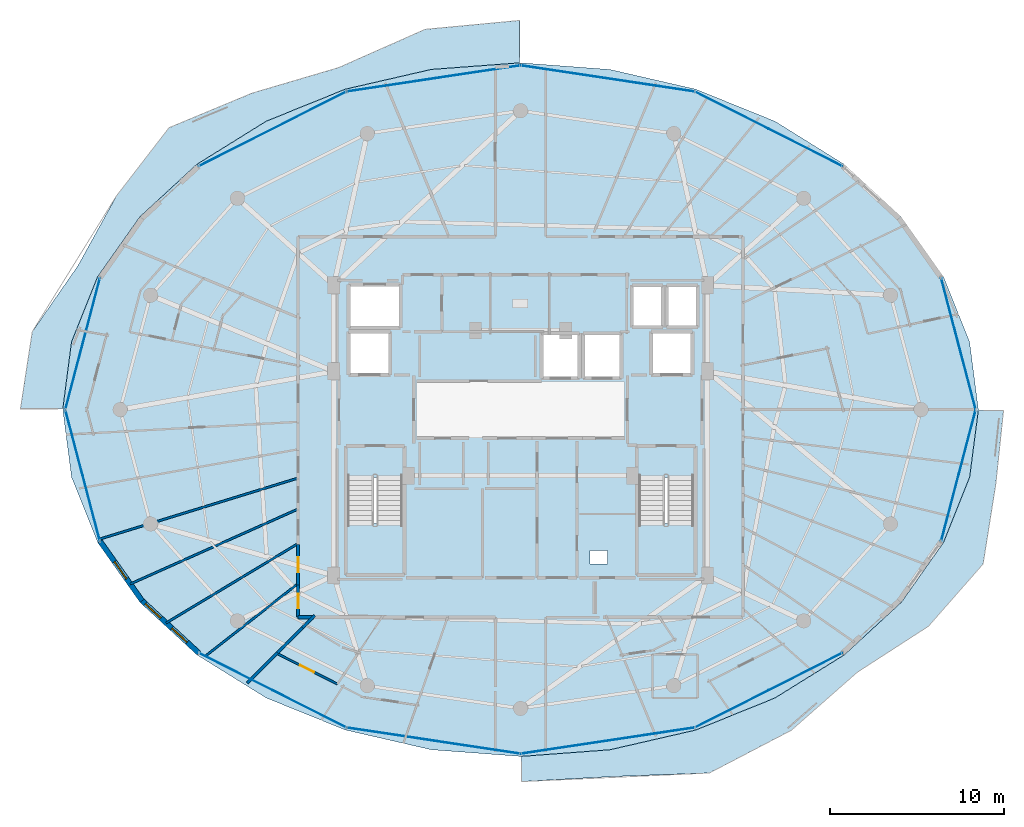
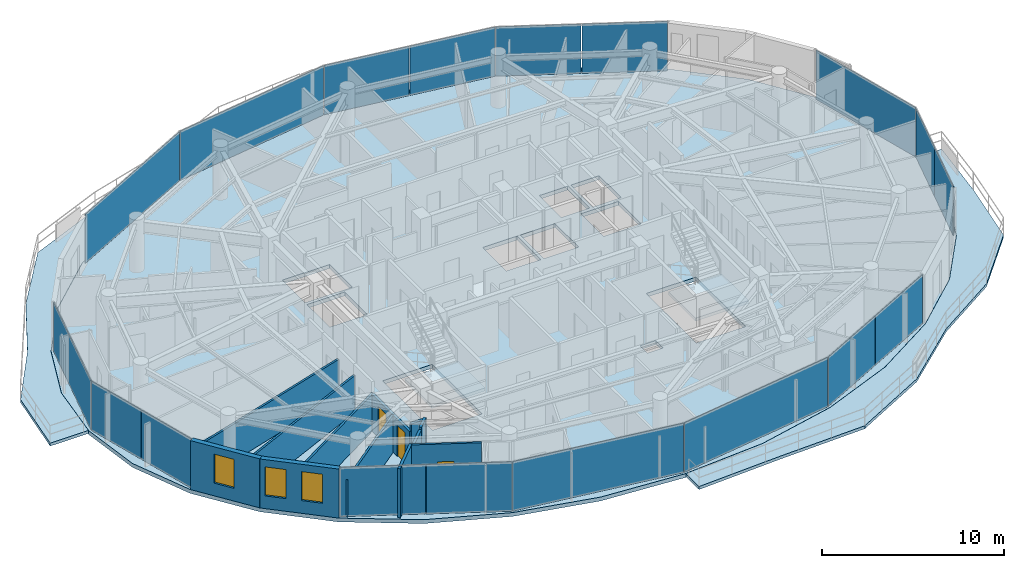
# One storey, part 19 of 29: 18 plates, 13 walls, 5 slabs, 3 doors, 3 windows, 6 openings, 6 elements without a shape of their own.
"""IFC4 building model written with IfcOpenShell, lengths in metres."""

from ifc_helpers import new_model, si_unit, direction, frame, frame_2d, origin, origin_2d, place, context, subcontext, project, spatial, polyline, rectangle, outline, extrude, material, layer, layer_set, type_object, element, fill, aggregate, save


model = new_model("IFC4")

# Units and contexts
model_context = context("Model", 3, precision=1e-05, world=origin(), true_north=direction((0.0, 1.0)))
body_context = subcontext(model_context, "Body", "Model", "MODEL_VIEW")
ifc_project = project(units=[si_unit("LENGTHUNIT", "METRE"), si_unit("AREAUNIT", "SQUARE_METRE"), si_unit("VOLUMEUNIT", "CUBIC_METRE"), si_unit("PLANEANGLEUNIT", "RADIAN"), si_unit("MASSUNIT", "GRAM", prefix="KILO")], contexts=[model_context])

# Site, building, storey
site_placement = place(None, origin())
site = spatial("IfcSite", under=ifc_project, at=site_placement, CompositionType="ELEMENT")
building_placement = place(site_placement, origin())
building = spatial("IfcBuilding", under=site, at=building_placement, Name="Vorneva Point Tower", CompositionType="ELEMENT")
storey_placement = place(building_placement, frame((0.0, 0.0, 255.550048828125)))
storey = spatial("IfcBuildingStorey", under=building, at=storey_placement, Name="L69", CompositionType="ELEMENT", Elevation=255.550048828125)

# Curtain wall, plates
ifc_material_1 = material(Name="Pale anodised aluminium", Category="aluminium")
curtain_wall_type = type_object("IfcCurtainWallType", Name="CW-RES-SYS", PredefinedType="NOTDEFINED", material=ifc_material_1)
curtain_wall_1_placement = place(storey_placement, origin())
curtain_wall_1 = element("IfcCurtainWall", 1, at=curtain_wall_1_placement, inside=storey, type_object=curtain_wall_type, Name="L69 Unitised Curtain Wall CW-L69-R01", PredefinedType="NOTDEFINED")
ifc_material_2 = material(Name="Double low-e laminated glass IGU", Category="glass")
ifc_layer_1 = layer(ifc_material_2, 0.035888671875)
ifc_layer_set_1 = layer_set([ifc_layer_1], Name="Double low-e laminated glass IGU")
plate_type = type_object("IfcPlateType", Name="CW-PNL-VIS", PredefinedType="CURTAIN_PANEL", material=ifc_layer_set_1)
plate_1_placement = place(storey_placement, frame((62.7041015625, 20.314208984375, -0.02001953125), z_axis=(0.0, 0.0, 1.0), x_axis=(0.254416284022, 0.967094801157, 0.0)))
plate_1 = element("IfcPlate", 2, at=plate_1_placement, type_object=plate_type, Name="CW-L69-R01 Glazed Panel 01A", PredefinedType="CURTAIN_PANEL", context=body_context, shape_type="SweptSolid", body=[
    extrude(rectangle(XDim=3.869384765625, YDim=0.035888671875, at=origin_2d()), origin(), (0.0, 0.0, 1.0), 3.330078125),
])
plate_2_placement = place(storey_placement, frame((63.701416015625, 24.104736328125, -0.02001953125), z_axis=(0.0, 0.0, 1.0), x_axis=(0.254416284022, 0.967094801157, 0.0)))
plate_2 = element("IfcPlate", 3, at=plate_2_placement, type_object=plate_type, Name="CW-L69-R01 Glazed Panel 01B", PredefinedType="CURTAIN_PANEL", context=body_context, shape_type="SweptSolid", body=[
    extrude(rectangle(XDim=3.869384765625, YDim=0.035888671875, at=origin_2d()), origin(), (0.0, 0.0, 1.0), 3.330078125),
])
plate_3_placement = place(storey_placement, frame((63.202880859375, 29.79052734375, -0.02001953125), z_axis=(0.0, 0.0, 1.0), x_axis=(-0.254416284022, 0.967094801157, 0.0)))
plate_3 = element("IfcPlate", 4, at=plate_3_placement, type_object=plate_type, Name="CW-L69-R01 Glazed Panel 02", PredefinedType="CURTAIN_PANEL", context=body_context, shape_type="SweptSolid", body=[
    extrude(rectangle(XDim=7.7890625, YDim=0.035888671875, at=origin_2d()), origin(), (0.0, 0.0, 1.0), 3.330078125),
])
aggregate(curtain_wall_1, [plate_1, plate_2, plate_3])

curtain_wall_2_placement = place(storey_placement, origin())
curtain_wall_2 = element("IfcCurtainWall", 5, at=curtain_wall_2_placement, inside=storey, type_object=curtain_wall_type, Name="L69 Unitised Curtain Wall CW-L69-R02", PredefinedType="NOTDEFINED")
plate_4_placement = place(storey_placement, frame((54.401123046875, 41.081298828125, -0.02001953125), z_axis=(0.0, 0.0, 1.0), x_axis=(-0.892554339087, 0.450939853836, 0.0)))
plate_4 = element("IfcPlate", 6, at=plate_4_placement, type_object=plate_type, Name="CW-L69-R02 Glazed Panel 01A", PredefinedType="CURTAIN_PANEL", context=body_context, shape_type="SweptSolid", body=[
    extrude(rectangle(XDim=4.71142578125, YDim=0.035888671875, at=origin_2d()), origin(), (0.0, 0.0, 1.0), 3.330078125),
])
plate_5_placement = place(storey_placement, frame((50.1513671875, 43.228515625, -0.02001953125), z_axis=(0.0, 0.0, 1.0), x_axis=(-0.892554339087, 0.450939853836, 0.0)))
plate_5 = element("IfcPlate", 7, at=plate_5_placement, type_object=plate_type, Name="CW-L69-R02 Glazed Panel 01B", PredefinedType="CURTAIN_PANEL", context=body_context, shape_type="SweptSolid", body=[
    extrude(rectangle(XDim=4.71142578125, YDim=0.035888671875, at=origin_2d()), origin(), (0.0, 0.0, 1.0), 3.330078125),
])
plate_6_placement = place(storey_placement, frame((45.519775390625, 44.67919921875, -0.02001953125), z_axis=(0.0, 0.0, 1.0), x_axis=(-0.988878712919, 0.148724211669, 0.0)))
plate_6 = element("IfcPlate", 8, at=plate_6_placement, type_object=plate_type, Name="CW-L69-R02 Glazed Panel 02A", PredefinedType="CURTAIN_PANEL", context=body_context, shape_type="SweptSolid", body=[
    extrude(rectangle(XDim=5.01953125, YDim=0.035888671875, at=origin_2d()), origin(), (0.0, 0.0, 1.0), 3.330078125),
])
plate_7_placement = place(storey_placement, frame((40.506591796875, 45.43310546875, -0.02001953125), z_axis=(0.0, 0.0, 1.0), x_axis=(-0.988878712919, 0.148724211669, 0.0)))
plate_7 = element("IfcPlate", 9, at=plate_7_placement, type_object=plate_type, Name="CW-L69-R02 Glazed Panel 02B", PredefinedType="CURTAIN_PANEL", context=body_context, shape_type="SweptSolid", body=[
    extrude(rectangle(XDim=5.01953125, YDim=0.035888671875, at=origin_2d()), origin(), (0.0, 0.0, 1.0), 3.330078125),
])
plate_8_placement = place(storey_placement, frame((32.98681640625, 45.055908203125, -0.02001953125), z_axis=(0.0, 0.0, 1.0), x_axis=(-0.988878712919, -0.148724211669, 0.0)))
plate_8 = element("IfcPlate", 10, at=plate_8_placement, type_object=plate_type, Name="CW-L69-R02 Glazed Panel 03", PredefinedType="CURTAIN_PANEL", context=body_context, shape_type="SweptSolid", body=[
    extrude(rectangle(XDim=10.089111328125, YDim=0.035888671875, at=origin_2d()), origin(), (0.0, 0.0, 1.0), 3.330078125),
])
plate_9_placement = place(storey_placement, frame((23.723876953125, 42.15478515625, -0.02001953125), z_axis=(0.0, 0.0, 1.0), x_axis=(-0.892554339087, -0.450939853836, 0.0)))
plate_9 = element("IfcPlate", 11, at=plate_9_placement, type_object=plate_type, Name="CW-L69-R02 Glazed Panel 04", PredefinedType="CURTAIN_PANEL", context=body_context, shape_type="SweptSolid", body=[
    extrude(rectangle(XDim=9.47314453125, YDim=0.035888671875, at=origin_2d()), origin(), (0.0, 0.0, 1.0), 3.330078125),
])
aggregate(curtain_wall_2, [plate_4, plate_5, plate_6, plate_7, plate_8, plate_9])

curtain_wall_3_placement = place(storey_placement, origin())
curtain_wall_3 = element("IfcCurtainWall", 12, at=curtain_wall_3_placement, inside=storey, type_object=curtain_wall_type, Name="L69 Unitised Curtain Wall CW-L69-R03", PredefinedType="NOTDEFINED")
plate_10_placement = place(storey_placement, frame((12.797119140625, 29.79052734375, -0.02001953125), z_axis=(0.0, 0.0, 1.0), x_axis=(-0.254416284022, -0.967094801157, 0.0)))
plate_10 = element("IfcPlate", 13, at=plate_10_placement, type_object=plate_type, Name="CW-L69-R03 Glazed Panel 01", PredefinedType="CURTAIN_PANEL", context=body_context, shape_type="SweptSolid", body=[
    extrude(rectangle(XDim=7.7890625, YDim=0.035888671875, at=origin_2d()), origin(), (0.0, 0.0, 1.0), 3.330078125),
])
plate_11_placement = place(storey_placement, frame((12.298583984375, 24.104736328125, -0.02001953125), z_axis=(0.0, 0.0, 1.0), x_axis=(0.254416284022, -0.967094801157, 0.0)))
plate_11 = element("IfcPlate", 14, at=plate_11_placement, type_object=plate_type, Name="CW-L69-R03 Glazed Panel 02A", PredefinedType="CURTAIN_PANEL", context=body_context, shape_type="SweptSolid", body=[
    extrude(rectangle(XDim=3.869384765625, YDim=0.035888671875, at=origin_2d()), origin(), (0.0, 0.0, 1.0), 3.330078125),
])
plate_12_placement = place(storey_placement, frame((13.2958984375, 20.314208984375, -0.02001953125), z_axis=(0.0, 0.0, 1.0), x_axis=(0.254416284022, -0.967094801157, 0.0)))
plate_12 = element("IfcPlate", 15, at=plate_12_placement, type_object=plate_type, Name="CW-L69-R03 Glazed Panel 02B", PredefinedType="CURTAIN_PANEL", context=body_context, shape_type="SweptSolid", body=[
    extrude(rectangle(XDim=3.869384765625, YDim=0.035888671875, at=origin_2d()), origin(), (0.0, 0.0, 1.0), 3.330078125),
])
aggregate(curtain_wall_3, [plate_10, plate_11, plate_12])

curtain_wall_4_placement = place(storey_placement, origin())
curtain_wall_4 = element("IfcCurtainWall", 16, at=curtain_wall_4_placement, inside=storey, type_object=curtain_wall_type, Name="L69 Unitised Curtain Wall CW-L69-R04", PredefinedType="NOTDEFINED")
plate_13_placement = place(storey_placement, frame((21.598876953125, 10.918701171875, -0.02001953125), z_axis=(0.0, 0.0, 1.0), x_axis=(0.892554339087, -0.450939853836, 0.0)))
plate_13 = element("IfcPlate", 17, at=plate_13_placement, type_object=plate_type, Name="CW-L69-R04 Glazed Panel 01A", PredefinedType="CURTAIN_PANEL", context=body_context, shape_type="SweptSolid", body=[
    extrude(rectangle(XDim=4.71142578125, YDim=0.035888671875, at=origin_2d()), origin(), (0.0, 0.0, 1.0), 3.330078125),
])
plate_14_placement = place(storey_placement, frame((25.8486328125, 8.771484375, -0.02001953125), z_axis=(0.0, 0.0, 1.0), x_axis=(0.892554339087, -0.450939853836, 0.0)))
plate_14 = element("IfcPlate", 18, at=plate_14_placement, type_object=plate_type, Name="CW-L69-R04 Glazed Panel 01B", PredefinedType="CURTAIN_PANEL", context=body_context, shape_type="SweptSolid", body=[
    extrude(rectangle(XDim=4.71142578125, YDim=0.035888671875, at=origin_2d()), origin(), (0.0, 0.0, 1.0), 3.330078125),
])
plate_15_placement = place(storey_placement, frame((32.98681640625, 6.944091796875, -0.02001953125), z_axis=(0.0, 0.0, 1.0), x_axis=(0.988878712919, -0.148724211669, 0.0)))
plate_15 = element("IfcPlate", 19, at=plate_15_placement, type_object=plate_type, Name="CW-L69-R04 Glazed Panel 02", PredefinedType="CURTAIN_PANEL", context=body_context, shape_type="SweptSolid", body=[
    extrude(rectangle(XDim=10.089111328125, YDim=0.035888671875, at=origin_2d()), origin(), (0.0, 0.0, 1.0), 3.330078125),
])
plate_16_placement = place(storey_placement, frame((43.01318359375, 6.944091796875, -0.02001953125), z_axis=(0.0, 0.0, 1.0), x_axis=(0.988878712919, 0.148724211669, 0.0)))
plate_16 = element("IfcPlate", 20, at=plate_16_placement, type_object=plate_type, Name="CW-L69-R04 Glazed Panel 03", PredefinedType="CURTAIN_PANEL", context=body_context, shape_type="SweptSolid", body=[
    extrude(rectangle(XDim=10.089111328125, YDim=0.035888671875, at=origin_2d()), origin(), (0.0, 0.0, 1.0), 3.330078125),
])
plate_17_placement = place(storey_placement, frame((50.1513671875, 8.771484375, -0.02001953125), z_axis=(0.0, 0.0, 1.0), x_axis=(0.892554339087, 0.450939853836, 0.0)))
plate_17 = element("IfcPlate", 21, at=plate_17_placement, type_object=plate_type, Name="CW-L69-R04 Glazed Panel 04A", PredefinedType="CURTAIN_PANEL", context=body_context, shape_type="SweptSolid", body=[
    extrude(rectangle(XDim=4.71142578125, YDim=0.035888671875, at=origin_2d()), origin(), (0.0, 0.0, 1.0), 3.330078125),
])
plate_18_placement = place(storey_placement, frame((54.401123046875, 10.918701171875, -0.02001953125), z_axis=(0.0, 0.0, 1.0), x_axis=(0.892554339087, 0.450939853836, 0.0)))
plate_18 = element("IfcPlate", 22, at=plate_18_placement, type_object=plate_type, Name="CW-L69-R04 Glazed Panel 04B", PredefinedType="CURTAIN_PANEL", context=body_context, shape_type="SweptSolid", body=[
    extrude(rectangle(XDim=4.71142578125, YDim=0.035888671875, at=origin_2d()), origin(), (0.0, 0.0, 1.0), 3.330078125),
])
aggregate(curtain_wall_4, [plate_13, plate_14, plate_15, plate_16, plate_17, plate_18])

# Slabs
ifc_material_3 = material(Name="Concrete B50 (C40/50)", Category="concrete")
ifc_layer_2 = layer(ifc_material_3, 0.199951171875)
ifc_layer_set_2 = layer_set([ifc_layer_2], Name="Concrete B50 (C40/50)")
slab_type_1 = type_object("IfcSlabType", Name="SLB-BAL-200", PredefinedType="FLOOR", material=ifc_layer_set_2)
slab_1_placement = place(storey_placement, frame((0.0, 0.0, -0.199951171875)))
element("IfcSlab", 23, at=slab_1_placement, inside=storey, type_object=slab_type_1, Name="L69 Cantilevered Wave Balcony NW", PredefinedType="FLOOR", context=body_context, shape_type="SweptSolid", body=[
    extrude(outline(polyline([(9.212646484375, 26.050048828125), (11.652587890625, 26.050048828125), (12.15234375, 29.89453125), (12.15234375, 29.894775390625), (12.152587890625, 29.895263671875), (12.152587890625, 29.8955078125), (13.652099609375, 33.639892578125), (13.65234375, 33.640380859375), (13.652587890625, 33.640625), (16.08740234375, 37.091552734375), (16.087890625, 37.091796875), (16.088134765625, 37.092041015625), (19.364990234375, 40.11669921875), (19.365234375, 40.1171875), (19.365478515625, 40.1171875), (23.358642578125, 42.599609375), (23.35888671875, 42.599609375), (23.359130859375, 42.599853515625), (27.914794921875, 44.4443359375), (27.9150390625, 44.4443359375), (27.915283203125, 44.444580078125), (32.8583984375, 45.580322265625), (32.85888671875, 45.58056640625), (32.859130859375, 45.58056640625), (37.949951171875, 45.960205078125), (37.949951171875, 48.400390625), (32.510986328125, 47.889404296875), (27.526123046875, 45.68408203125), (22.541748046875, 44.214111328125), (17.767578125, 42.226318359375), (14.730712890625, 38.288818359375), (12.51220703125, 34.263671875), (9.89404296875, 30.488037109375), (9.212646484375, 26.050048828125)])), origin(), (0.0, 0.0, 1.0), 0.199951171875),
])
slab_2_placement = place(storey_placement, frame((0.0, 0.0, -0.199951171875)))
element("IfcSlab", 24, at=slab_2_placement, inside=storey, type_object=slab_type_1, Name="L69 Cantilevered Wave Balcony SE", PredefinedType="FLOOR", context=body_context, shape_type="SweptSolid", body=[
    extrude(outline(polyline([(65.353515625, 21.70947265625), (65.7998046875, 25.949951171875), (64.347412109375, 25.949951171875), (63.84765625, 22.10546875), (63.84765625, 22.105224609375), (63.847412109375, 22.104736328125), (63.847412109375, 22.1044921875), (62.347900390625, 18.360107421875), (62.34765625, 18.359619140625), (62.347412109375, 18.359375), (59.91259765625, 14.908447265625), (59.912109375, 14.908203125), (59.911865234375, 14.907958984375), (56.635009765625, 11.88330078125), (56.634765625, 11.8828125), (56.634521484375, 11.8828125), (52.641357421875, 9.400390625), (52.64111328125, 9.400390625), (52.640869140625, 9.400146484375), (48.085205078125, 7.5556640625), (48.0849609375, 7.5556640625), (48.084716796875, 7.555419921875), (43.1416015625, 6.419677734375), (43.14111328125, 6.41943359375), (43.140869140625, 6.41943359375), (38.050048828125, 6.039794921875), (38.050048828125, 4.587646484375), (43.373291015625, 4.8798828125), (48.861083984375, 5.081787109375), (53.58154296875, 7.542236328125), (57.386962890625, 10.8896484375), (61.47412109375, 13.530517578125), (64.62255859375, 17.11572265625), (65.353515625, 21.70947265625)])), origin(), (0.0, 0.0, 1.0), 0.199951171875),
])

# Stair, slab
stair_type = type_object("IfcStairType", Name="ST-DOG-1500", PredefinedType="HALF_TURN_STAIR", material=ifc_material_3)
stair_1_placement = place(storey_placement, origin())
stair_1 = element("IfcStair", 25, at=stair_1_placement, inside=storey, type_object=stair_type, Name="L69 ST1", PredefinedType="HALF_TURN_STAIR")
ifc_layer_3 = layer(ifc_material_3, 0.199951171875)
ifc_layer_set_3 = layer_set([ifc_layer_3], Name="Concrete B50 (C40/50)")
slab_type_2 = type_object("IfcSlabType", Name="SLB-LND-200", PredefinedType="LANDING", material=ifc_layer_set_3)
slab_3_placement = place(storey_placement, frame((0.0, 0.0, 1.574951171875)))
slab_3 = element("IfcSlab", 26, at=slab_3_placement, type_object=slab_type_2, Name="ST1 landing 1", PredefinedType="LANDING", context=body_context, shape_type="SweptSolid", body=[
    extrude(outline(polyline([(27.929931640625, 16.47998046875), (31.320068359375, 16.47998046875), (31.320068359375, 19.43994140625), (27.929931640625, 19.43994140625), (27.929931640625, 16.47998046875)])), origin(), (0.0, 0.0, 1.0), 0.199951171875),
])
aggregate(stair_1, [slab_3])

stair_2_placement = place(storey_placement, origin())
stair_2 = element("IfcStair", 27, at=stair_2_placement, inside=storey, type_object=stair_type, Name="L69 ST2", PredefinedType="HALF_TURN_STAIR")
slab_4_placement = place(storey_placement, frame((0.0, 0.0, 1.574951171875)))
slab_4 = element("IfcSlab", 28, at=slab_4_placement, type_object=slab_type_2, Name="ST2 landing 1", PredefinedType="LANDING", context=body_context, shape_type="SweptSolid", body=[
    extrude(outline(polyline([(44.679931640625, 16.47998046875), (48.070068359375, 16.47998046875), (48.070068359375, 19.43994140625), (44.679931640625, 19.43994140625), (44.679931640625, 16.47998046875)])), origin(), (0.0, 0.0, 1.0), 0.199951171875),
])
aggregate(stair_2, [slab_4])

# Slab
ifc_layer_4 = layer(ifc_material_3, 0.260009765625)
ifc_layer_set_4 = layer_set([ifc_layer_4], Name="Concrete B50 (C40/50)")
slab_type_3 = type_object("IfcSlabType", Name="SLB-TYP-260", PredefinedType="FLOOR", material=ifc_layer_set_4)
slab_5_placement = place(storey_placement, frame((0.0, 0.0, -0.260009765625)))
element("IfcSlab", 29, at=slab_5_placement, inside=storey, type_object=slab_type_3, Name="L69 Structural Floor Plate", PredefinedType="FLOOR", context=body_context, shape_type="SweptSolid", body=[
    extrude(outline(polyline([(64.35009765625, 26.0), (63.84375, 29.89404296875), (62.34423828125, 33.638427734375), (59.9091796875, 37.089111328125), (56.63232421875, 40.114013671875), (52.639404296875, 42.59619140625), (48.083740234375, 44.440673828125), (43.140625, 45.576416015625), (38.0, 45.9599609375), (32.859375, 45.576416015625), (27.916259765625, 44.440673828125), (23.360595703125, 42.59619140625), (19.36767578125, 40.114013671875), (16.0908203125, 37.089111328125), (13.65576171875, 33.638427734375), (12.15625, 29.89404296875), (11.64990234375, 26.0), (12.15625, 22.10595703125), (13.65576171875, 18.361572265625), (16.0908203125, 14.910888671875), (19.36767578125, 11.885986328125), (23.360595703125, 9.40380859375), (27.916259765625, 7.559326171875), (32.859375, 6.423583984375), (38.0, 6.0400390625), (43.140625, 6.423583984375), (48.083740234375, 7.559326171875), (52.639404296875, 9.40380859375), (56.63232421875, 11.885986328125), (59.9091796875, 14.910888671875), (62.34423828125, 18.361572265625), (63.84375, 22.10595703125), (64.35009765625, 26.0)]), holes=[polyline([(39.199951171875, 27.800048828125), (41.39990234375, 27.800048828125), (41.39990234375, 30.39990234375), (39.199951171875, 30.39990234375), (39.199951171875, 27.800048828125)]), polyline([(41.60009765625, 27.800048828125), (43.800048828125, 27.800048828125), (43.800048828125, 30.39990234375), (41.60009765625, 30.39990234375), (41.60009765625, 27.800048828125)]), polyline([(44.39990234375, 30.739990234375), (46.199951171875, 30.739990234375), (46.199951171875, 33.159912109375), (44.39990234375, 33.159912109375), (44.39990234375, 30.739990234375)]), polyline([(46.39990234375, 30.739990234375), (48.199951171875, 30.739990234375), (48.199951171875, 33.159912109375), (46.39990234375, 33.159912109375), (46.39990234375, 30.739990234375)]), polyline([(28.10009765625, 28.0), (30.5, 28.0), (30.5, 30.5), (28.10009765625, 30.5), (28.10009765625, 28.0)]), polyline([(45.5, 28.0), (47.89990234375, 28.0), (47.89990234375, 30.5), (45.5, 30.5), (45.5, 28.0)]), polyline([(28.10009765625, 30.699951171875), (31.10009765625, 30.699951171875), (31.10009765625, 33.199951171875), (28.10009765625, 33.199951171875), (28.10009765625, 30.699951171875)]), polyline([(28.050048828125, 16.60009765625), (31.199951171875, 16.60009765625), (31.199951171875, 22.080078125), (28.050048828125, 22.080078125), (28.050048828125, 16.60009765625)]), polyline([(44.800048828125, 16.60009765625), (47.949951171875, 16.60009765625), (47.949951171875, 22.080078125), (44.800048828125, 22.080078125), (44.800048828125, 16.60009765625)]), polyline([(42.0, 17.10009765625), (43.0, 17.10009765625), (43.0, 17.89990234375), (42.0, 17.89990234375), (42.0, 17.10009765625)])]), origin(), (0.0, 0.0, 1.0), 0.260009765625),
])

# Wall, opening, window
ifc_material_4 = material(Name="Precast concrete B50 (C40/50)", Category="concrete")
ifc_layer_5 = layer(ifc_material_4, 0.300048828125)
ifc_layer_set_5 = layer_set([ifc_layer_5], Name="Precast concrete B50 (C40/50)")
wall_type_1 = type_object("IfcWallType", Name="WL-EXT-300", PredefinedType="STANDARD", material=ifc_layer_set_5)
wall_1_placement = place(storey_placement, frame((13.79443359375, 18.4189453125, 0.0), z_axis=(0.0, 0.0, 1.0), x_axis=(0.577261247247, -0.816559521668, 0.0)))
wall_1 = element("IfcWall", 30, at=wall_1_placement, inside=storey, type_object=wall_type_1, Name="L69 Pale-Metal Facade Spandrel Wall 10.1", PredefinedType="STANDARD", context=body_context, shape_type="SweptSolid", body=[
    extrude(rectangle(XDim=4.194091796875, YDim=0.300048828125, at=frame_2d((2.09716796875, 0.0))), origin(), (0.0, 0.0, 1.0), 3.2900390625),
])
opening_1_placement = place(wall_1_placement, frame((1.43798828125, 0.0, 0.85009765625)))
opening_1 = element("IfcOpeningElement", 31, at=opening_1_placement, cuts=wall_1, Name="Opening W-04", PredefinedType="OPENING", context=body_context, shape_type="SweptSolid", body=[
    extrude(rectangle(XDim=1.199951171875, YDim=1.949951171875, at=frame_2d((0.60009765625, 0.97509765625))), frame((0.0, 0.1650390625, 0.0), z_axis=(0.0, -1.0, 0.0), x_axis=(1.0, 0.0, 0.0)), (0.0, 0.0, 1.0), 0.329833984375),
])
window_type = type_object("IfcWindowType", Name="WN-RES-1200", PartitioningType="SINGLE_PANEL", PredefinedType="WINDOW", material=ifc_material_2)
window_1_placement = place(opening_1_placement, origin())
window_1 = element("IfcWindow", 32, at=window_1_placement, inside=storey, type_object=window_type, Name="L69 Dwelling Vision Window 01", OverallHeight=1.949951171875, OverallWidth=1.199951171875, PartitioningType="SINGLE_PANEL", PredefinedType="WINDOW", context=body_context, shape_type="SweptSolid", body=[
    extrude(rectangle(XDim=1.199951171875, YDim=1.949951171875, at=frame_2d((0.60009765625, 0.97509765625))), frame((0.0, 0.030029296875, 0.0), z_axis=(0.0, -1.0, 0.0), x_axis=(1.0, 0.0, 0.0)), (0.0, 0.0, 1.0), 0.06005859375),
])
fill(opening_1, window_1)

# Wall, openings, windows
wall_2_placement = place(storey_placement, frame((16.215576171875, 14.994140625, 0.0), z_axis=(0.0, 0.0, 1.0), x_axis=(0.735445373611, -0.677584018727, 0.0)))
wall_2 = element("IfcWall", 33, at=wall_2_placement, inside=storey, type_object=wall_type_1, Name="L69 Pale-Metal Facade Spandrel Wall 10.2", PredefinedType="STANDARD", context=body_context, shape_type="SweptSolid", body=[
    extrude(rectangle(XDim=4.430419921875, YDim=0.300048828125, at=frame_2d((2.21533203125, 0.0))), origin(), (0.0, 0.0, 1.0), 3.2900390625),
])
opening_2_placement = place(wall_2_placement, frame((0.258056640625, 0.0, 0.85009765625)))
opening_2 = element("IfcOpeningElement", 34, at=opening_2_placement, cuts=wall_2, Name="Opening W-04", PredefinedType="OPENING", context=body_context, shape_type="SweptSolid", body=[
    extrude(rectangle(XDim=1.199951171875, YDim=1.949951171875, at=frame_2d((0.60009765625, 0.97509765625))), frame((0.0, 0.1650390625, 0.0), z_axis=(0.0, -1.0, 0.0), x_axis=(1.0, 0.0, 0.0)), (0.0, 0.0, 1.0), 0.329833984375),
])
opening_3_placement = place(wall_2_placement, frame((2.3232421875, 0.0, 0.85009765625)))
opening_3 = element("IfcOpeningElement", 35, at=opening_3_placement, cuts=wall_2, Name="Opening W-04", PredefinedType="OPENING", context=body_context, shape_type="SweptSolid", body=[
    extrude(rectangle(XDim=1.199951171875, YDim=1.949951171875, at=frame_2d((0.60009765625, 0.97509765625))), frame((0.0, 0.1650390625, 0.0), z_axis=(0.0, -1.0, 0.0), x_axis=(1.0, 0.0, 0.0)), (0.0, 0.0, 1.0), 0.329833984375),
])
window_2_placement = place(opening_2_placement, origin())
window_2 = element("IfcWindow", 36, at=window_2_placement, inside=storey, type_object=window_type, Name="L69 Dwelling Vision Window 02", OverallHeight=1.949951171875, OverallWidth=1.199951171875, PartitioningType="SINGLE_PANEL", PredefinedType="WINDOW", context=body_context, shape_type="SweptSolid", body=[
    extrude(rectangle(XDim=1.199951171875, YDim=1.949951171875, at=frame_2d((0.60009765625, 0.97509765625))), frame((0.0, 0.030029296875, 0.0), z_axis=(0.0, -1.0, 0.0), x_axis=(1.0, 0.0, 0.0)), (0.0, 0.0, 1.0), 0.06005859375),
])
fill(opening_2, window_2)
window_3_placement = place(opening_3_placement, origin())
window_3 = element("IfcWindow", 37, at=window_3_placement, inside=storey, type_object=window_type, Name="L69 Dwelling Vision Window 03", OverallHeight=1.949951171875, OverallWidth=1.199951171875, PartitioningType="SINGLE_PANEL", PredefinedType="WINDOW", context=body_context, shape_type="SweptSolid", body=[
    extrude(rectangle(XDim=1.199951171875, YDim=1.949951171875, at=frame_2d((0.60009765625, 0.97509765625))), frame((0.0, 0.030029296875, 0.0), z_axis=(0.0, -1.0, 0.0), x_axis=(1.0, 0.0, 0.0)), (0.0, 0.0, 1.0), 0.06005859375),
])
fill(opening_3, window_3)

# Walls
ifc_material_5 = material(Name="Fire-rated acoustic gypsum stud partition", Category="gypsum")
ifc_layer_6 = layer(ifc_material_5, 0.125)
ifc_layer_set_6 = layer_set([ifc_layer_6], Name="Fire-rated acoustic gypsum stud partition")
wall_type_2 = type_object("IfcWallType", Name="WL-PART-125", PredefinedType="PARTITIONING", material=ifc_layer_set_6)
wall_3_placement = place(storey_placement, frame((13.7470703125, 18.5390625, 0.0), z_axis=(0.0, 0.0, 1.0), x_axis=(0.955802794564, 0.294008533725, 0.0)))
element("IfcWall", 38, at=wall_3_placement, inside=storey, type_object=wall_type_2, Name="L69 Interior Partition 090", PredefinedType="PARTITIONING", context=body_context, shape_type="SweptSolid", body=[
    extrude(rectangle(XDim=11.982421875, YDim=0.125, at=frame_2d((5.9912109375, 0.0))), origin(), (0.0, 0.0, 1.0), 2.48193359375),
])
wall_4_placement = place(storey_placement, frame((15.532958984375, 15.9619140625, 0.0), z_axis=(0.0, 0.0, 1.0), x_axis=(0.913015836792, 0.407924112756, 0.0)))
element("IfcWall", 39, at=wall_4_placement, inside=storey, type_object=wall_type_2, Name="L69 Interior Partition 091", PredefinedType="PARTITIONING", context=body_context, shape_type="SweptSolid", body=[
    extrude(rectangle(XDim=10.587890625, YDim=0.125, at=frame_2d((5.2939453125, 0.0))), origin(), (0.0, 0.0, 1.0), 2.48193359375),
])
wall_5_placement = place(storey_placement, frame((17.60205078125, 13.719970703125, 0.0), z_axis=(0.0, 0.0, 1.0), x_axis=(0.856734134601, 0.515758298633, 0.0)))
element("IfcWall", 40, at=wall_5_placement, inside=storey, type_object=wall_type_2, Name="L69 Interior Partition 092", PredefinedType="PARTITIONING", context=body_context, shape_type="SweptSolid", body=[
    extrude(rectangle(XDim=8.868408203125, YDim=0.125, at=frame_2d((4.43408203125, 0.0))), origin(), (0.0, 0.0, 1.0), 2.48193359375),
])
wall_6_placement = place(storey_placement, frame((19.819091796875, 11.781982421875, 0.0), z_axis=(0.0, 0.0, 1.0), x_axis=(0.78765580417, 0.61611552014, 0.0)))
element("IfcWall", 41, at=wall_6_placement, inside=storey, type_object=wall_type_2, Name="L69 Interior Partition 093", PredefinedType="PARTITIONING", context=body_context, shape_type="SweptSolid", body=[
    extrude(rectangle(XDim=6.83154296875, YDim=0.125, at=frame_2d((3.415771484375, 0.0))), origin(), (0.0, 0.0, 1.0), 2.48193359375),
])

# Wall, opening, door
wall_7_placement = place(storey_placement, frame((27.458984375, 10.202880859375, 0.0), z_axis=(0.0, 0.0, 1.0), x_axis=(-0.892559828496, 0.450928988374, 0.0)))
wall_7 = element("IfcWall", 42, at=wall_7_placement, inside=storey, type_object=wall_type_2, Name="L69 Interior Partition 101", PredefinedType="PARTITIONING", context=body_context, shape_type="SweptSolid", body=[
    extrude(rectangle(XDim=3.912353515625, YDim=0.125, at=frame_2d((1.9560546875, 0.0))), origin(), (0.0, 0.0, 1.0), 3.2900390625),
])
opening_4_placement = place(wall_7_placement, frame((1.506103515625, 0.0, 0.0)))
opening_4 = element("IfcOpeningElement", 43, at=opening_4_placement, cuts=wall_7, Name="Opening ID-01", PredefinedType="OPENING", context=body_context, shape_type="SweptSolid", body=[
    extrude(rectangle(XDim=0.89990234375, YDim=2.10009765625, at=frame_2d((0.449951171875, 1.050048828125))), frame((0.0, 0.077392578125, 0.0), z_axis=(0.0, -1.0, 0.0), x_axis=(1.0, 0.0, 0.0)), (0.0, 0.0, 1.0), 0.15478515625),
])
ifc_material_6 = material(Name="Engineered oak fire-rated door leaf", Category="wood")
door_type_1 = type_object("IfcDoorType", Name="DR-ROOM-900", OperationType="NOTDEFINED", PredefinedType="DOOR", material=ifc_material_6)
door_1_placement = place(opening_4_placement, origin())
door_1 = element("IfcDoor", 44, at=door_1_placement, inside=storey, type_object=door_type_1, Name="L69 Door Living and Dining Room L69-02 / Study Room L69-02", OperationType="SINGLE_SWING_RIGHT", OverallHeight=2.10009765625, OverallWidth=0.89990234375, PredefinedType="DOOR", context=body_context, shape_type="SweptSolid", body=[
    extrude(rectangle(XDim=0.89990234375, YDim=2.10009765625, at=frame_2d((0.449951171875, 1.050048828125))), frame((0.0, 0.02490234375, 0.0), z_axis=(0.0, -1.0, 0.0), x_axis=(1.0, 0.0, 0.0)), (0.0, 0.0, 1.0), 0.050048828125),
])
fill(opening_4, door_1)

# Walls
ifc_layer_7 = layer(ifc_material_5, 0.159912109375)
ifc_layer_set_7 = layer_set([ifc_layer_7], Name="Fire-rated acoustic gypsum stud partition")
wall_type_3 = type_object("IfcWallType", Name="WL-PART-160", PredefinedType="PARTITIONING", material=ifc_layer_set_7)
wall_8_placement = place(storey_placement, frame((22.262939453125, 10.262939453125, 0.0), z_axis=(0.0, 0.0, 1.0), x_axis=(0.707106781187, 0.707106781187, 0.0)))
element("IfcWall", 45, at=wall_8_placement, inside=storey, type_object=wall_type_3, Name="L69 Interior Partition 094", PredefinedType="PARTITIONING", context=body_context, shape_type="SweptSolid", body=[
    extrude(rectangle(XDim=2.473388671875, YDim=0.159912109375, at=frame_2d((1.23681640625, 0.0))), origin(), (0.0, 0.0, 1.0), 3.2900390625),
])
wall_9_placement = place(storey_placement, frame((25.451904296875, 13.451904296875, 0.0), z_axis=(0.0, 0.0, 1.0), x_axis=(0.707106781187, 0.707106781187, 0.0)))
element("IfcWall", 46, at=wall_9_placement, inside=storey, type_object=wall_type_3, Name="L69 Interior Partition 095", PredefinedType="PARTITIONING", context=body_context, shape_type="SweptSolid", body=[
    extrude(rectangle(XDim=0.98583984375, YDim=0.159912109375, at=frame_2d((0.492919921875, 0.0))), origin(), (0.0, 0.0, 1.0), 3.02197265625),
])
wall_10_placement = place(storey_placement, frame((24.011962890625, 12.011962890625, 0.0), z_axis=(0.0, 0.0, 1.0), x_axis=(0.707106781187, 0.707106781187, 0.0)))
element("IfcWall", 47, at=wall_10_placement, inside=storey, type_object=wall_type_3, Name="L69 Interior Partition 096", PredefinedType="PARTITIONING", context=body_context, shape_type="SweptSolid", body=[
    extrude(rectangle(XDim=2.036376953125, YDim=0.159912109375, at=frame_2d((1.01806640625, 0.0))), origin(), (0.0, 0.0, 1.0), 2.8740234375),
])

# Wall, opening, door
ifc_material_7 = material(Name="Autoclaved aerated concrete blockwork", Category="masonry")
ifc_layer_8 = layer(ifc_material_7, 0.179931640625)
ifc_layer_set_8 = layer_set([ifc_layer_8], Name="Autoclaved aerated concrete blockwork")
wall_type_4 = type_object("IfcWallType", Name="WL-PART-180", PredefinedType="PARTITIONING", material=ifc_layer_set_8)
wall_11_placement = place(storey_placement, frame((25.199951171875, 18.22412109375, 0.0), z_axis=(0.0, 0.0, 1.0), x_axis=(0.0, -1.0, 0.0)))
wall_11 = element("IfcWall", 48, at=wall_11_placement, inside=storey, type_object=wall_type_4, Name="L69 Interior Partition 041", PredefinedType="PARTITIONING", context=body_context, shape_type="SweptSolid", body=[
    extrude(rectangle(XDim=2.30908203125, YDim=0.179931640625, at=frame_2d((1.154541015625, 0.0))), origin(), (0.0, 0.0, 1.0), 2.48193359375),
])
opening_5_placement = place(wall_11_placement, frame((0.7294921875, 0.0, 0.0)))
opening_5 = element("IfcOpeningElement", 49, at=opening_5_placement, cuts=wall_11, Name="Opening ID-02", PredefinedType="OPENING", context=body_context, shape_type="SweptSolid", body=[
    extrude(rectangle(XDim=0.85009765625, YDim=2.10009765625, at=frame_2d((0.425048828125, 1.050048828125))), frame((0.0, 0.10498046875, 0.0), z_axis=(0.0, -1.0, 0.0), x_axis=(1.0, 0.0, 0.0)), (0.0, 0.0, 1.0), 0.209716796875),
])
door_type_2 = type_object("IfcDoorType", Name="DR-BATH-850", OperationType="NOTDEFINED", PredefinedType="DOOR", material=ifc_material_6)
door_2_placement = place(opening_5_placement, origin())
door_2 = element("IfcDoor", 50, at=door_2_placement, inside=storey, type_object=door_type_2, Name="L69 Access Door L69 Circulation Corridor", OperationType="SINGLE_SWING_LEFT", OverallHeight=2.10009765625, OverallWidth=0.85009765625, PredefinedType="DOOR", context=body_context, shape_type="SweptSolid", body=[
    extrude(rectangle(XDim=0.85009765625, YDim=2.10009765625, at=frame_2d((0.425048828125, 1.050048828125))), frame((0.0, 0.02490234375, 0.0), z_axis=(0.0, -1.0, 0.0), x_axis=(1.0, 0.0, 0.0)), (0.0, 0.0, 1.0), 0.050048828125),
])
fill(opening_5, door_2)

wall_12_placement = place(storey_placement, frame((25.199951171875, 15.9150390625, 0.0), z_axis=(0.0, 0.0, 1.0), x_axis=(0.0, -1.0, 0.0)))
wall_12 = element("IfcWall", 51, at=wall_12_placement, inside=storey, type_object=wall_type_4, Name="L69 Interior Partition 042", PredefinedType="PARTITIONING", context=body_context, shape_type="SweptSolid", body=[
    extrude(rectangle(XDim=1.864990234375, YDim=0.179931640625, at=frame_2d((0.9326171875, 0.0))), origin(), (0.0, 0.0, 1.0), 2.48193359375),
])
opening_6_placement = place(wall_12_placement, frame((0.507568359375, 0.0, 0.0)))
opening_6 = element("IfcOpeningElement", 52, at=opening_6_placement, cuts=wall_12, Name="Opening ID-02", PredefinedType="OPENING", context=body_context, shape_type="SweptSolid", body=[
    extrude(rectangle(XDim=0.85009765625, YDim=2.10009765625, at=frame_2d((0.425048828125, 1.050048828125))), frame((0.0, 0.10498046875, 0.0), z_axis=(0.0, -1.0, 0.0), x_axis=(1.0, 0.0, 0.0)), (0.0, 0.0, 1.0), 0.209716796875),
])
door_3_placement = place(opening_6_placement, origin())
door_3 = element("IfcDoor", 53, at=door_3_placement, inside=storey, type_object=door_type_2, Name="L69 Access Door L69 Circulation Corridor", OperationType="SINGLE_SWING_RIGHT", OverallHeight=2.10009765625, OverallWidth=0.85009765625, PredefinedType="DOOR", context=body_context, shape_type="SweptSolid", body=[
    extrude(rectangle(XDim=0.85009765625, YDim=2.10009765625, at=frame_2d((0.425048828125, 1.050048828125))), frame((0.0, 0.02490234375, 0.0), z_axis=(0.0, -1.0, 0.0), x_axis=(1.0, 0.0, 0.0)), (0.0, 0.0, 1.0), 0.050048828125),
])
fill(opening_6, door_3)

# Wall
wall_13_placement = place(storey_placement, frame((25.199951171875, 14.050048828125, 0.0), z_axis=(0.0, 0.0, 1.0), x_axis=(1.0, 0.0, 0.0)))
element("IfcWall", 54, at=wall_13_placement, inside=storey, type_object=wall_type_4, Name="L69 Interior Partition 043", PredefinedType="PARTITIONING", context=body_context, shape_type="SweptSolid", body=[
    extrude(rectangle(XDim=0.91015625, YDim=0.179931640625, at=frame_2d((0.455078125, 0.0))), origin(), (0.0, 0.0, 1.0), 3.02197265625),
])

save(model, "model.ifc")
